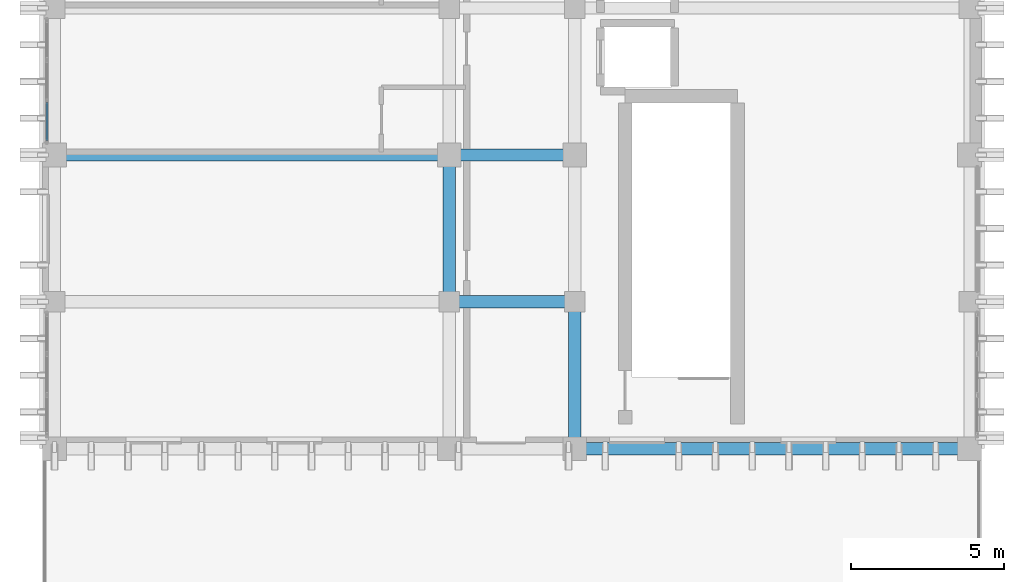
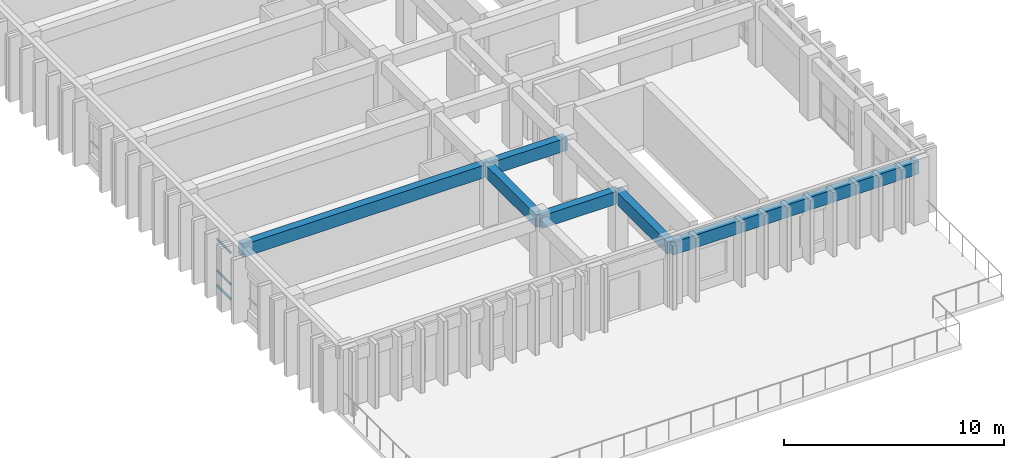
# One storey, part 5 of 68: 6 beams, 3 members, 1 element without a shape of its own.
"""IFC4 building model written with IfcOpenShell, lengths in metres."""

from ifc_helpers import new_model, si_unit, direction, frame, origin, origin_2d, place, context, subcontext, project, spatial, rectangle, hollow_rectangle, extrude, material, layer, layer_set, material_profile, profile_set, type_object, element, aggregate, save


model = new_model("IFC4")

# Units and contexts
model_context = context("Model", 3, precision=1e-05, world=origin(), true_north=direction((0.0, 1.0)))
body_context = subcontext(model_context, "Body", "Model", "MODEL_VIEW")
ifc_project = project(units=[si_unit("LENGTHUNIT", "METRE"), si_unit("AREAUNIT", "SQUARE_METRE"), si_unit("VOLUMEUNIT", "CUBIC_METRE"), si_unit("PLANEANGLEUNIT", "RADIAN"), si_unit("MASSUNIT", "GRAM", prefix="KILO")], contexts=[model_context])

# Site, building, storey
site_placement = place(None, origin())
site = spatial("IfcSite", under=ifc_project, at=site_placement, CompositionType="ELEMENT")
building_placement = place(site_placement, origin())
building = spatial("IfcBuilding", under=site, at=building_placement, Name="Nakhvara Creek Congress Hotel", CompositionType="ELEMENT")
storey_placement = place(building_placement, frame((0.0, 0.0, 24.60009765625)))
storey = spatial("IfcBuildingStorey", under=building, at=storey_placement, Name="L05", CompositionType="ELEMENT", Elevation=24.60009765625)

# Beams
ifc_material_1 = material(Name="Concrete C40/50", Category="concrete")
ifc_material_profile_1 = material_profile(ifc_material_1, rectangle(XDim=0.39990234375, YDim=0.699951171875, at=origin_2d()), Name="RC-BM 400x700", Category="LoadBearing")
ifc_profile_set_1 = profile_set([ifc_material_profile_1], Name="Concrete C40/50")
beam_type = type_object("IfcBeamType", Name="BM-RC-400X700", PredefinedType="BEAM", material=ifc_profile_set_1)
beam_1_placement = place(storey_placement, frame((149.449951171875, 38.39990234375, 2.989990234375), z_axis=(1.0, 0.0, 0.0), x_axis=(0.0, 1.0, 0.0)))
element("IfcBeam", 1, at=beam_1_placement, inside=storey, type_object=beam_type, Name="Beam B05-L05-2060", PredefinedType="BEAM", context=body_context, shape_type="SweptSolid", body=[
    extrude(rectangle(XDim=0.39990234375, YDim=0.699951171875, at=origin_2d()), origin(), (0.0, 0.0, 1.0), 12.900146484375),
])
beam_2_placement = place(storey_placement, frame((162.35009765625, 38.39990234375, 2.989990234375), z_axis=(1.0, 0.0, 0.0), x_axis=(0.0, 1.0, 0.0)))
element("IfcBeam", 2, at=beam_2_placement, inside=storey, type_object=beam_type, Name="Beam B05-L05-2089", PredefinedType="BEAM", context=body_context, shape_type="SweptSolid", body=[
    extrude(rectangle(XDim=0.39990234375, YDim=0.699951171875, at=origin_2d()), origin(), (0.0, 0.0, 1.0), 4.099853515625),
])
beam_3_placement = place(storey_placement, frame((162.35009765625, 33.60009765625, 2.989990234375), z_axis=(0.0, 1.0, 0.0), x_axis=(-1.0, 0.0, 0.0)))
element("IfcBeam", 3, at=beam_3_placement, inside=storey, type_object=beam_type, Name="Beam B05-L05-2090", PredefinedType="BEAM", context=body_context, shape_type="SweptSolid", body=[
    extrude(rectangle(XDim=0.39990234375, YDim=0.699951171875, at=origin_2d()), origin(), (0.0, 0.0, 1.0), 4.7998046875),
])
beam_4_placement = place(storey_placement, frame((166.449951171875, 28.800048828125, 2.989990234375), z_axis=(1.0, 0.0, 0.0), x_axis=(0.0, 1.0, 0.0)))
element("IfcBeam", 4, at=beam_4_placement, inside=storey, type_object=beam_type, Name="Beam B05-L05-2118", PredefinedType="BEAM", context=body_context, shape_type="SweptSolid", body=[
    extrude(rectangle(XDim=0.39990234375, YDim=0.699951171875, at=origin_2d()), origin(), (0.0, 0.0, 1.0), 12.900146484375),
])
beam_5_placement = place(storey_placement, frame((166.449951171875, 28.800048828125, 2.989990234375), z_axis=(0.0, 1.0, 0.0), x_axis=(-1.0, 0.0, 0.0)))
element("IfcBeam", 5, at=beam_5_placement, inside=storey, type_object=beam_type, Name="Beam B05-L05-2119", PredefinedType="BEAM", context=body_context, shape_type="SweptSolid", body=[
    extrude(rectangle(XDim=0.39990234375, YDim=0.699951171875, at=origin_2d()), origin(), (0.0, 0.0, 1.0), 4.800048828125),
])
beam_6_placement = place(storey_placement, frame((162.35009765625, 33.60009765625, 2.989990234375), z_axis=(1.0, 0.0, 0.0), x_axis=(0.0, 1.0, 0.0)))
element("IfcBeam", 6, at=beam_6_placement, inside=storey, type_object=beam_type, Name="Beam B05-L05-2175", PredefinedType="BEAM", context=body_context, shape_type="SweptSolid", body=[
    extrude(rectangle(XDim=0.39990234375, YDim=0.699951171875, at=origin_2d()), origin(), (0.0, 0.0, 1.0), 4.099853515625),
])

# Curtain wall, members
ifc_material_2 = material(Name="Bronze-anodised aluminium AW-6063-T6 and double-silver low-E glass", Category="aluminium")
ifc_layer = layer(ifc_material_2, 0.199951171875)
ifc_layer_set = layer_set([ifc_layer], Name="Bronze-anodised aluminium AW-6063-T6 and double-silver low-E glass")
curtain_wall_type = type_object("IfcCurtainWallType", Name="CW-HTL-UNIT", PredefinedType="USERDEFINED", material=ifc_layer_set)
curtain_wall_placement = place(storey_placement, origin())
curtain_wall = element("IfcCurtainWall", 7, at=curtain_wall_placement, inside=storey, type_object=curtain_wall_type, Name="Curtain Wall CW205", ObjectType="UNITISED", PredefinedType="USERDEFINED")
ifc_material_3 = material(Name="Bronze-anodised aluminium AW-6063-T6", Category="aluminium")
ifc_material_profile_2 = material_profile(ifc_material_3, hollow_rectangle(XDim=0.06494140625, YDim=0.1201171875, WallThickness=0.00390625, at=origin_2d()), Name="ALU-TRAN 65x120x4", Category="LoadBearing")
ifc_profile_set_2 = profile_set([ifc_material_profile_2], Name="Bronze-anodised aluminium AW-6063-T6")
member_type = type_object("IfcMemberType", Name="CW-TRAN-120", PredefinedType="USERDEFINED", material=ifc_profile_set_2)
member_1_placement = place(storey_placement, frame((149.199951171875, 38.8701171875, 0.032470703125), z_axis=(0.0, 1.0, 0.0), x_axis=(-1.0, 0.0, 0.0)))
member_1 = element("IfcMember", 8, at=member_1_placement, type_object=member_type, Name="CW205 transom 1.1", ObjectType="TRANSOM", PredefinedType="USERDEFINED", context=body_context, shape_type="SweptSolid", body=[
    extrude(hollow_rectangle(XDim=0.06494140625, YDim=0.1201171875, WallThickness=0.00390625, at=origin_2d()), origin(), (0.0, 0.0, 1.0), 1.2490234375),
])
member_2_placement = place(storey_placement, frame((149.199951171875, 38.8701171875, 0.849853515625), z_axis=(0.0, 1.0, 0.0), x_axis=(-1.0, 0.0, 0.0)))
member_2 = element("IfcMember", 9, at=member_2_placement, type_object=member_type, Name="CW205 transom 1.2", ObjectType="TRANSOM", PredefinedType="USERDEFINED", context=body_context, shape_type="SweptSolid", body=[
    extrude(hollow_rectangle(XDim=0.06494140625, YDim=0.1201171875, WallThickness=0.00390625, at=origin_2d()), origin(), (0.0, 0.0, 1.0), 1.2490234375),
])
member_3_placement = place(storey_placement, frame((149.199951171875, 38.8701171875, 2.599365234375), z_axis=(0.0, 1.0, 0.0), x_axis=(-1.0, 0.0, 0.0)))
member_3 = element("IfcMember", 10, at=member_3_placement, type_object=member_type, Name="CW205 transom 1.3", ObjectType="TRANSOM", PredefinedType="USERDEFINED", context=body_context, shape_type="SweptSolid", body=[
    extrude(hollow_rectangle(XDim=0.06494140625, YDim=0.1201171875, WallThickness=0.00390625, at=origin_2d()), origin(), (0.0, 0.0, 1.0), 1.2490234375),
])
aggregate(curtain_wall, [member_1, member_2, member_3])

save(model, "model.ifc")
